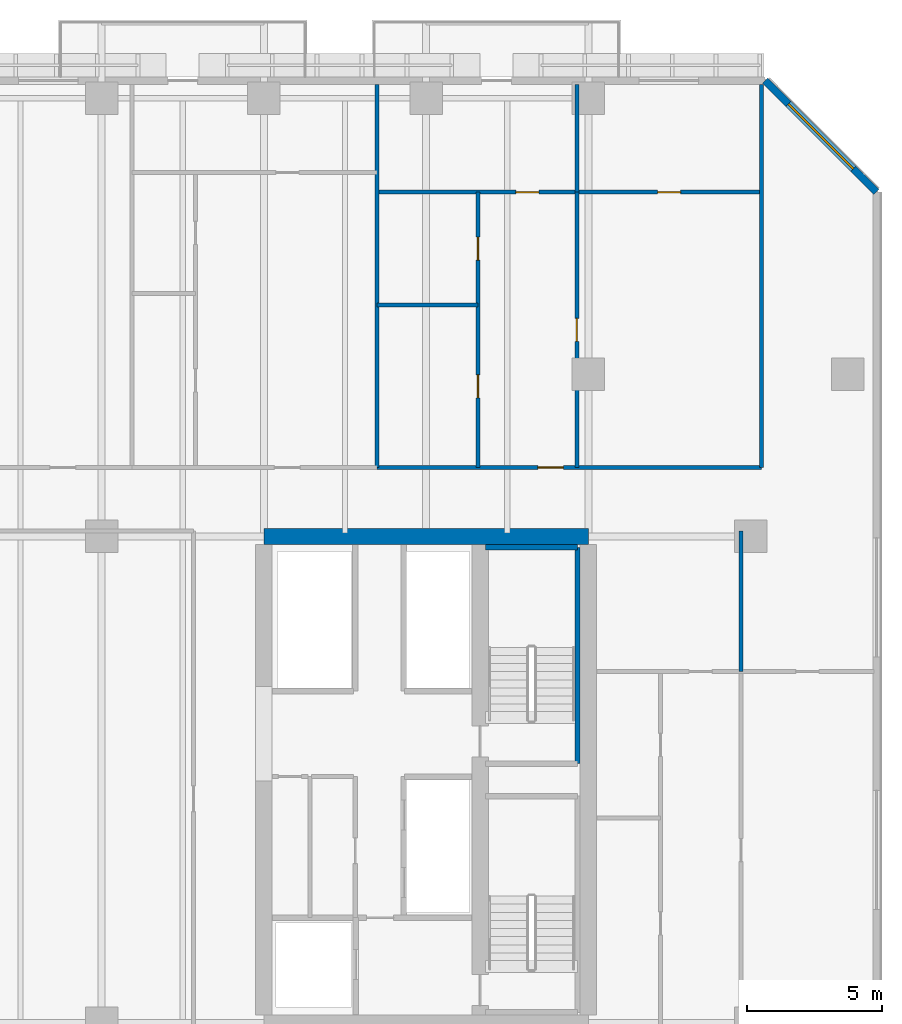
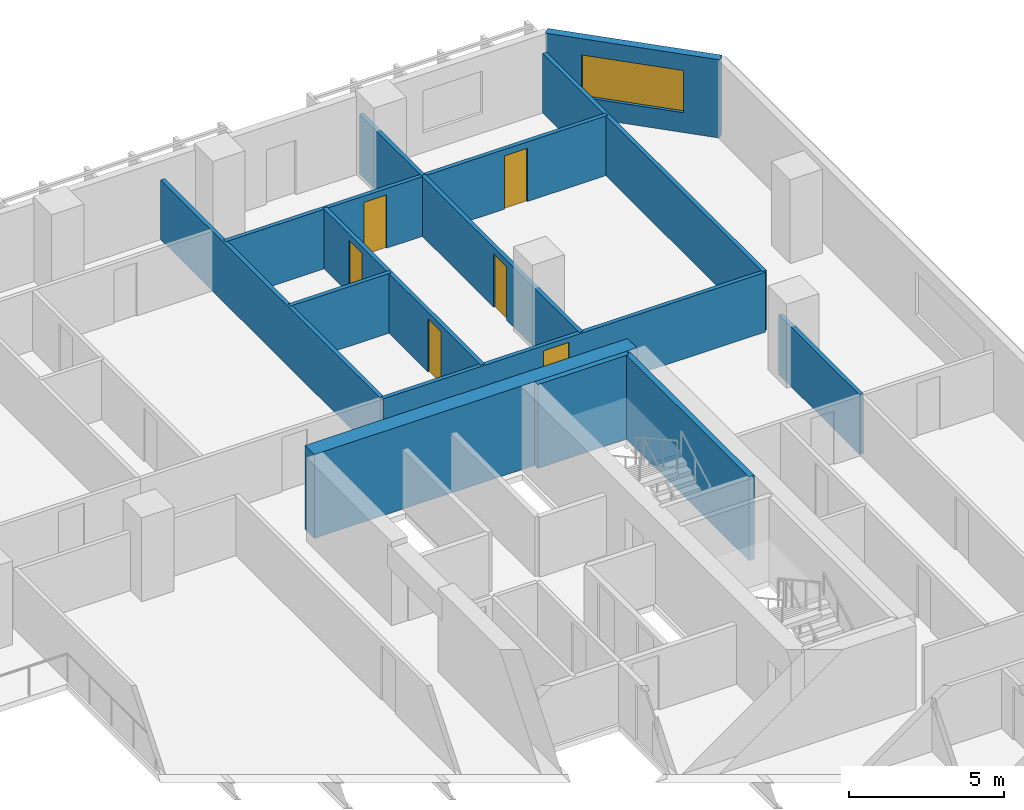
# One storey, part 15 of 25: 13 walls, 6 doors, 1 window, 7 openings.
"""IFC4 building model written with IfcOpenShell, lengths in metres."""

from ifc_helpers import new_model, si_unit, direction, frame, frame_2d, origin, place, context, subcontext, project, spatial, rectangle, extrude, material, layer, layer_set, type_object, element, fill, save


model = new_model("IFC4")

# Units and contexts
model_context = context("Model", 3, precision=1e-05, world=origin(), true_north=direction((0.0, 1.0)))
body_context = subcontext(model_context, "Body", "Model", "MODEL_VIEW")
ifc_project = project(units=[si_unit("LENGTHUNIT", "METRE"), si_unit("AREAUNIT", "SQUARE_METRE"), si_unit("VOLUMEUNIT", "CUBIC_METRE"), si_unit("PLANEANGLEUNIT", "RADIAN"), si_unit("MASSUNIT", "GRAM", prefix="KILO")], contexts=[model_context])

# Site, building, storey
site_placement = place(None, origin())
site = spatial("IfcSite", under=ifc_project, at=site_placement, CompositionType="ELEMENT")
building_placement = place(site_placement, origin())
building = spatial("IfcBuilding", under=site, at=building_placement, Name="Tanjung Sevakor Pilgrim Tower", CompositionType="ELEMENT")
storey_placement = place(building_placement, frame((0.0, 0.0, 42.239990234375)))
storey = spatial("IfcBuildingStorey", under=building, at=storey_placement, Name="L11", CompositionType="ELEMENT", Elevation=42.239990234375)

# Walls
ifc_material_1 = material(Name="Concrete C60/75", Category="concrete")
ifc_layer_1 = layer(ifc_material_1, 0.60009765625)
ifc_layer_set_1 = layer_set([ifc_layer_1], Name="WALL-CW-600")
wall_type_1 = type_object("IfcWallType", Name="WALL-CW-600", PredefinedType="SHEAR", material=ifc_layer_set_1)
wall_1_placement = place(storey_placement, frame((90.0, 42.60009765625, 0.0), z_axis=(0.0, 0.0, 1.0), x_axis=(-1.0, 0.0, 0.0)))
element("IfcWall", 1, at=wall_1_placement, inside=storey, type_object=wall_type_1, Name="L11 E Core North Shear Wall", PredefinedType="SHEAR", context=body_context, shape_type="SweptSolid", body=[
    extrude(rectangle(XDim=12.0, YDim=0.60009765625, at=frame_2d((6.0, 0.0))), origin(), (0.0, 0.0, 1.0), 3.300048828125),
])
ifc_material_2 = material(Name="Concrete C40/50", Category="concrete")
ifc_layer_2 = layer(ifc_material_2, 0.14990234375)
ifc_layer_set_2 = layer_set([ifc_layer_2], Name="WT-COMP-150")
wall_type_2 = type_object("IfcWallType", Name="WT-COMP-150", PredefinedType="SOLIDWALL", material=ifc_layer_set_2)
for number, where, z_axis, x_axis, name in (
    (2, (96.39990234375, 45.14990234375, 0.0), (0.0, 0.0, 1.0), (0.0, 1.0, 0.0), "L11 Partition IW-L11-080"),
    (3, (82.1787109375, 45.14990234375, 0.0), (0.0, 0.0, 1.0), (0.0, 1.0, 0.0), "L11 Partition IW-L11-087"),
):
    element("IfcWall", number, at=place(storey_placement, frame(where, z_axis=z_axis, x_axis=x_axis)), inside=storey, type_object=wall_type_2, Name=name, PredefinedType="SOLIDWALL", context=body_context, shape_type="SweptSolid", body=[
        extrude(rectangle(XDim=14.170166015625, YDim=0.14990234375, at=frame_2d((7.0849609375, 0.0))), origin(), (0.0, 0.0, 1.0), 2.35009765625),
    ])

# Wall, opening, door
wall_2_placement = place(storey_placement, frame((82.1787109375, 45.14990234375, 0.0), z_axis=(0.0, 0.0, 1.0), x_axis=(1.0, 0.0, 0.0)))
wall_2 = element("IfcWall", 4, at=wall_2_placement, inside=storey, type_object=wall_type_2, Name="L11 Partition IW-L11-097", PredefinedType="SOLIDWALL", context=body_context, shape_type="SweptSolid", body=[
    extrude(rectangle(XDim=14.22119140625, YDim=0.14990234375, at=frame_2d((7.110595703125, 0.0))), origin(), (0.0, 0.0, 1.0), 2.35009765625),
])
opening_1_placement = place(wall_2_placement, frame((5.951416015625, 0.0, 0.0)))
opening_1 = element("IfcOpeningElement", 5, at=opening_1_placement, cuts=wall_2, Name="Opening ID-FD2", PredefinedType="OPENING", context=body_context, shape_type="SweptSolid", body=[
    extrude(rectangle(XDim=0.949951171875, YDim=2.14990234375, at=frame_2d((0.47509765625, 1.074951171875))), frame((0.0, 0.0849609375, 0.0), z_axis=(0.0, -1.0, 0.0), x_axis=(1.0, 0.0, 0.0)), (0.0, 0.0, 1.0), 0.169921875),
])
ifc_material_3 = material(Name="Fire-Rated Timber", Category="wood")
door_type_1 = type_object("IfcDoorType", Name="DT-FIRE-950", OperationType="NOTDEFINED", PredefinedType="DOOR", material=ifc_material_3)
door_1_placement = place(opening_1_placement, origin())
door_1 = element("IfcDoor", 6, at=door_1_placement, inside=storey, type_object=door_type_1, Name="Suite Entrance", OperationType="SINGLE_SWING_LEFT", OverallHeight=2.14990234375, OverallWidth=0.949951171875, PredefinedType="DOOR", context=body_context, shape_type="SweptSolid", body=[
    extrude(rectangle(XDim=0.949951171875, YDim=2.14990234375, at=frame_2d((0.47509765625, 1.074951171875))), frame((0.0, 0.02490234375, 0.0), z_axis=(0.0, -1.0, 0.0), x_axis=(1.0, 0.0, 0.0)), (0.0, 0.0, 1.0), 0.050048828125),
])
fill(opening_1, door_1)

# Wall, opening, window
ifc_material_4 = material(Name="Precast concrete C45/55", Category="concrete")
ifc_layer_3 = layer(ifc_material_4, 0.280029296875)
ifc_layer_set_3 = layer_set([ifc_layer_3], Name="WT-EW-STN2")
wall_type_3 = type_object("IfcWallType", Name="WT-EW-STN2", PredefinedType="SOLIDWALL", material=ifc_layer_set_3)
wall_3_placement = place(storey_placement, frame((100.659912109375, 55.342041015625, 0.0), z_axis=(0.0, 0.0, 1.0), x_axis=(-0.707106781187, 0.707106781187, 0.0)))
wall_3 = element("IfcWall", 7, at=wall_3_placement, inside=storey, type_object=wall_type_3, Name="L11 MAIN Sculpted Corner Wall 7", PredefinedType="SOLIDWALL", context=body_context, shape_type="SweptSolid", body=[
    extrude(rectangle(XDim=5.82373046875, YDim=0.280029296875, at=frame_2d((2.911865234375, 0.0))), origin(), (0.0, 0.0, 1.0), 3.080078125),
])
opening_2_placement = place(wall_3_placement, frame((1.2119140625, 0.0, 0.780029296875)))
opening_2 = element("IfcOpeningElement", 8, at=opening_2_placement, cuts=wall_3, Name="Opening WN-CHM-1660", PredefinedType="OPENING", context=body_context, shape_type="SweptSolid", body=[
    extrude(rectangle(XDim=3.39990234375, YDim=1.659912109375, at=frame_2d((1.699951171875, 0.830078125))), frame((0.0, 0.14990234375, 0.0), z_axis=(0.0, -1.0, 0.0), x_axis=(1.0, 0.0, 0.0)), (0.0, 0.0, 1.0), 0.300048828125),
])
ifc_material_5 = material(Name="Thermally Broken Aluminium and Low-E Glass", Category="aluminium")
window_type = type_object("IfcWindowType", Name="WTYP-WN-CHM-1660", PartitioningType="DOUBLE_PANEL_VERTICAL", PredefinedType="WINDOW", material=ifc_material_5)
window_placement = place(opening_2_placement, origin())
window = element("IfcWindow", 9, at=window_placement, inside=storey, type_object=window_type, Name="L11 Facade Window 01", OverallHeight=1.659912109375, OverallWidth=3.39990234375, PartitioningType="SINGLE_PANEL", PredefinedType="WINDOW", context=body_context, shape_type="SweptSolid", body=[
    extrude(rectangle(XDim=3.39990234375, YDim=1.659912109375, at=frame_2d((1.699951171875, 0.830078125))), frame((0.0, 0.030029296875, 0.0), z_axis=(0.0, -1.0, 0.0), x_axis=(1.0, 0.0, 0.0)), (0.0, 0.0, 1.0), 0.06005859375),
])
fill(opening_2, window)

# Walls
ifc_material_6 = material(Name="Concrete C40/50", Category="concrete")
ifc_layer_4 = layer(ifc_material_6, 0.199951171875)
ifc_layer_set_4 = layer_set([ifc_layer_4], Name="WT-FIRE-200")
wall_type_4 = type_object("IfcWallType", Name="WT-FIRE-200", PredefinedType="SOLIDWALL", material=ifc_layer_set_4)
wall_4_placement = place(storey_placement, frame((89.60009765625, 34.199951171875, 0.0), z_axis=(0.0, 0.0, 1.0), x_axis=(0.0, 1.0, 0.0)))
element("IfcWall", 10, at=wall_4_placement, inside=storey, type_object=wall_type_4, Name="L11 TS-E2 Shaft Wall 2", PredefinedType="SOLIDWALL", context=body_context, shape_type="SweptSolid", body=[
    extrude(rectangle(XDim=8.0, YDim=0.199951171875, at=frame_2d((4.0, 0.0))), origin(), (0.0, 0.0, 1.0), 3.300048828125),
])
wall_5_placement = place(storey_placement, frame((89.60009765625, 42.199951171875, 0.0), z_axis=(0.0, 0.0, 1.0), x_axis=(-1.0, 0.0, 0.0)))
element("IfcWall", 11, at=wall_5_placement, inside=storey, type_object=wall_type_4, Name="L11 TS-E2 Shaft Wall 3", PredefinedType="SOLIDWALL", context=body_context, shape_type="SweptSolid", body=[
    extrude(rectangle(XDim=3.400146484375, YDim=0.199951171875, at=frame_2d((1.7001953125, 0.0))), origin(), (0.0, 0.0, 1.0), 3.300048828125),
])
ifc_material_7 = material(Name="Gypsum Board Partition", Category="gypsum board")
ifc_layer_5 = layer(ifc_material_7, 0.14990234375)
ifc_layer_set_5 = layer_set([ifc_layer_5], Name="WT-PART-150")
wall_type_5 = type_object("IfcWallType", Name="WT-PART-150", PredefinedType="PARTITIONING", material=ifc_layer_set_5)
wall_6_placement = place(storey_placement, frame((95.644775390625, 37.60009765625, 0.0), z_axis=(0.0, 0.0, 1.0), x_axis=(0.0, 1.0, 0.0)))
element("IfcWall", 12, at=wall_6_placement, inside=storey, type_object=wall_type_5, Name="L11 Partition IW-L11-037", PredefinedType="PARTITIONING", context=body_context, shape_type="SweptSolid", body=[
    extrude(rectangle(XDim=5.199951171875, YDim=0.14990234375, at=frame_2d((2.60009765625, 0.0))), origin(), (0.0, 0.0, 1.0), 2.35009765625),
])

# Wall, opening, door
wall_7_placement = place(storey_placement, frame((89.57373046875, 45.14990234375, 0.0), z_axis=(0.0, 0.0, 1.0), x_axis=(0.0, 1.0, 0.0)))
wall_7 = element("IfcWall", 13, at=wall_7_placement, inside=storey, type_object=wall_type_5, Name="L11 Partition IW-L11-092", PredefinedType="PARTITIONING", context=body_context, shape_type="SweptSolid", body=[
    extrude(rectangle(XDim=10.180908203125, YDim=0.14990234375, at=frame_2d((5.09033203125, 0.0))), origin(), (0.0, 0.0, 1.0), 2.35009765625),
])
opening_3_placement = place(wall_7_placement, frame((4.66552734375, 0.0, 0.0)))
opening_3 = element("IfcOpeningElement", 14, at=opening_3_placement, cuts=wall_7, Name="Opening ID-WC1", PredefinedType="OPENING", context=body_context, shape_type="SweptSolid", body=[
    extrude(rectangle(XDim=0.85009765625, YDim=2.10009765625, at=frame_2d((0.425048828125, 1.050048828125))), frame((0.0, 0.0849609375, 0.0), z_axis=(0.0, -1.0, 0.0), x_axis=(1.0, 0.0, 0.0)), (0.0, 0.0, 1.0), 0.169921875),
])
ifc_material_8 = material(Name="Moisture-Resistant Timber", Category="wood")
door_type_2 = type_object("IfcDoorType", Name="DT-INT-850", OperationType="NOTDEFINED", PredefinedType="DOOR", material=ifc_material_8)
door_2_placement = place(opening_3_placement, origin())
door_2 = element("IfcDoor", 15, at=door_2_placement, inside=storey, type_object=door_type_2, Name="Suite Study Room Door", OperationType="SINGLE_SWING_RIGHT", OverallHeight=2.10009765625, OverallWidth=0.85009765625, PredefinedType="DOOR", context=body_context, shape_type="SweptSolid", body=[
    extrude(rectangle(XDim=0.85009765625, YDim=2.10009765625, at=frame_2d((0.425048828125, 1.050048828125))), frame((0.0, 0.02490234375, 0.0), z_axis=(0.0, -1.0, 0.0), x_axis=(1.0, 0.0, 0.0)), (0.0, 0.0, 1.0), 0.050048828125),
])
fill(opening_3, door_2)

# Wall
wall_8_placement = place(storey_placement, frame((82.1787109375, 51.15673828125, 0.0), z_axis=(0.0, 0.0, 1.0), x_axis=(1.0, 0.0, 0.0)))
element("IfcWall", 16, at=wall_8_placement, inside=storey, type_object=wall_type_5, Name="L11 Partition IW-L11-093", PredefinedType="PARTITIONING", context=body_context, shape_type="SweptSolid", body=[
    extrude(rectangle(XDim=3.7412109375, YDim=0.14990234375, at=frame_2d((1.87060546875, 0.0))), origin(), (0.0, 0.0, 1.0), 2.35009765625),
])

# Wall, openings, doors
wall_9_placement = place(storey_placement, frame((85.919921875, 45.14990234375, 0.0), z_axis=(0.0, 0.0, 1.0), x_axis=(0.0, 1.0, 0.0)))
wall_9 = element("IfcWall", 17, at=wall_9_placement, inside=storey, type_object=wall_type_5, Name="L11 Partition IW-L11-094", PredefinedType="PARTITIONING", context=body_context, shape_type="SweptSolid", body=[
    extrude(rectangle(XDim=10.180908203125, YDim=0.14990234375, at=frame_2d((5.09033203125, 0.0))), origin(), (0.0, 0.0, 1.0), 2.35009765625),
])
opening_4_placement = place(wall_9_placement, frame((2.578369140625, 0.0, 0.0)))
opening_4 = element("IfcOpeningElement", 18, at=opening_4_placement, cuts=wall_9, Name="Opening ID-WC1", PredefinedType="OPENING", context=body_context, shape_type="SweptSolid", body=[
    extrude(rectangle(XDim=0.85009765625, YDim=2.10009765625, at=frame_2d((0.425048828125, 1.050048828125))), frame((0.0, 0.0849609375, 0.0), z_axis=(0.0, -1.0, 0.0), x_axis=(1.0, 0.0, 0.0)), (0.0, 0.0, 1.0), 0.169921875),
])
opening_5_placement = place(wall_9_placement, frame((7.668701171875, 0.0, 0.0)))
opening_5 = element("IfcOpeningElement", 19, at=opening_5_placement, cuts=wall_9, Name="Opening ID-WC1", PredefinedType="OPENING", context=body_context, shape_type="SweptSolid", body=[
    extrude(rectangle(XDim=0.85009765625, YDim=2.10009765625, at=frame_2d((0.425048828125, 1.050048828125))), frame((0.0, 0.0849609375, 0.0), z_axis=(0.0, -1.0, 0.0), x_axis=(1.0, 0.0, 0.0)), (0.0, 0.0, 1.0), 0.169921875),
])
door_3_placement = place(opening_4_placement, origin())
door_3 = element("IfcDoor", 20, at=door_3_placement, inside=storey, type_object=door_type_2, Name="Suite Kitchenette Door", OperationType="SINGLE_SWING_LEFT", OverallHeight=2.10009765625, OverallWidth=0.85009765625, PredefinedType="DOOR", context=body_context, shape_type="SweptSolid", body=[
    extrude(rectangle(XDim=0.85009765625, YDim=2.10009765625, at=frame_2d((0.425048828125, 1.050048828125))), frame((0.0, 0.02490234375, 0.0), z_axis=(0.0, -1.0, 0.0), x_axis=(1.0, 0.0, 0.0)), (0.0, 0.0, 1.0), 0.050048828125),
])
fill(opening_4, door_3)
door_4_placement = place(opening_5_placement, origin())
door_4 = element("IfcDoor", 21, at=door_4_placement, inside=storey, type_object=door_type_2, Name="Suite Bathroom Door", OperationType="SINGLE_SWING_RIGHT", OverallHeight=2.10009765625, OverallWidth=0.85009765625, PredefinedType="DOOR", context=body_context, shape_type="SweptSolid", body=[
    extrude(rectangle(XDim=0.85009765625, YDim=2.10009765625, at=frame_2d((0.425048828125, 1.050048828125))), frame((0.0, 0.02490234375, 0.0), z_axis=(0.0, -1.0, 0.0), x_axis=(1.0, 0.0, 0.0)), (0.0, 0.0, 1.0), 0.050048828125),
])
fill(opening_5, door_4)

# Wall
wall_10_placement = place(storey_placement, frame((89.57373046875, 55.330810546875, 0.0), z_axis=(0.0, 0.0, 1.0), x_axis=(0.0, 1.0, 0.0)))
element("IfcWall", 22, at=wall_10_placement, inside=storey, type_object=wall_type_5, Name="L11 Partition IW-L11-095", PredefinedType="PARTITIONING", context=body_context, shape_type="SweptSolid", body=[
    extrude(rectangle(XDim=3.9892578125, YDim=0.14990234375, at=frame_2d((1.99462890625, 0.0))), origin(), (0.0, 0.0, 1.0), 2.35009765625),
])

# Wall, openings, doors
wall_11_placement = place(storey_placement, frame((82.1787109375, 55.330810546875, 0.0), z_axis=(0.0, 0.0, 1.0), x_axis=(1.0, 0.0, 0.0)))
wall_11 = element("IfcWall", 23, at=wall_11_placement, inside=storey, type_object=wall_type_5, Name="L11 Partition IW-L11-096", PredefinedType="PARTITIONING", context=body_context, shape_type="SweptSolid", body=[
    extrude(rectangle(XDim=14.22119140625, YDim=0.14990234375, at=frame_2d((7.110595703125, 0.0))), origin(), (0.0, 0.0, 1.0), 2.35009765625),
])
opening_6_placement = place(wall_11_placement, frame((5.143310546875, 0.0, 0.0)))
opening_6 = element("IfcOpeningElement", 24, at=opening_6_placement, cuts=wall_11, Name="Opening ID-WC1", PredefinedType="OPENING", context=body_context, shape_type="SweptSolid", body=[
    extrude(rectangle(XDim=0.85009765625, YDim=2.10009765625, at=frame_2d((0.425048828125, 1.050048828125))), frame((0.0, 0.0849609375, 0.0), z_axis=(0.0, -1.0, 0.0), x_axis=(1.0, 0.0, 0.0)), (0.0, 0.0, 1.0), 0.169921875),
])
opening_7_placement = place(wall_11_placement, frame((10.38330078125, 0.0, 0.0)))
opening_7 = element("IfcOpeningElement", 25, at=opening_7_placement, cuts=wall_11, Name="Opening ID-WC1", PredefinedType="OPENING", context=body_context, shape_type="SweptSolid", body=[
    extrude(rectangle(XDim=0.85009765625, YDim=2.10009765625, at=frame_2d((0.425048828125, 1.050048828125))), frame((0.0, 0.0849609375, 0.0), z_axis=(0.0, -1.0, 0.0), x_axis=(1.0, 0.0, 0.0)), (0.0, 0.0, 1.0), 0.169921875),
])
door_5_placement = place(opening_6_placement, origin())
door_5 = element("IfcDoor", 26, at=door_5_placement, inside=storey, type_object=door_type_2, Name="Suite Bedroom 1 Door", OperationType="SINGLE_SWING_LEFT", OverallHeight=2.10009765625, OverallWidth=0.85009765625, PredefinedType="DOOR", context=body_context, shape_type="SweptSolid", body=[
    extrude(rectangle(XDim=0.85009765625, YDim=2.10009765625, at=frame_2d((0.425048828125, 1.050048828125))), frame((0.0, 0.02490234375, 0.0), z_axis=(0.0, -1.0, 0.0), x_axis=(1.0, 0.0, 0.0)), (0.0, 0.0, 1.0), 0.050048828125),
])
fill(opening_6, door_5)
door_6_placement = place(opening_7_placement, origin())
door_6 = element("IfcDoor", 27, at=door_6_placement, inside=storey, type_object=door_type_2, Name="Suite Bedroom 2 Door", OperationType="SINGLE_SWING_RIGHT", OverallHeight=2.10009765625, OverallWidth=0.85009765625, PredefinedType="DOOR", context=body_context, shape_type="SweptSolid", body=[
    extrude(rectangle(XDim=0.85009765625, YDim=2.10009765625, at=frame_2d((0.425048828125, 1.050048828125))), frame((0.0, 0.02490234375, 0.0), z_axis=(0.0, -1.0, 0.0), x_axis=(1.0, 0.0, 0.0)), (0.0, 0.0, 1.0), 0.050048828125),
])
fill(opening_7, door_6)

save(model, "model.ifc")
